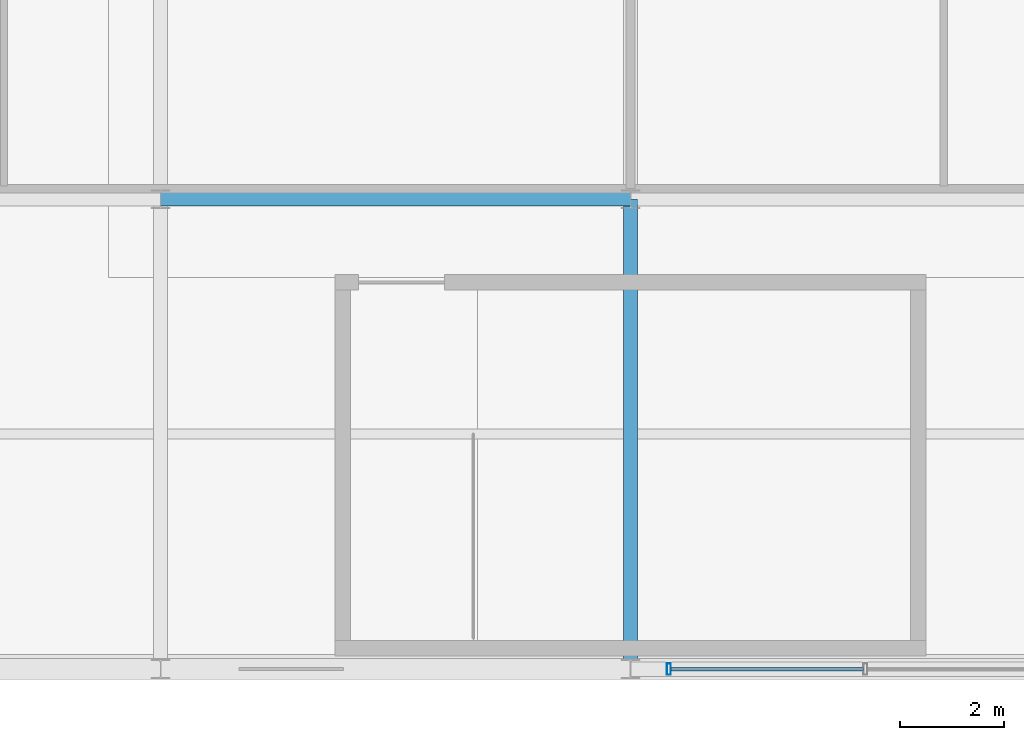
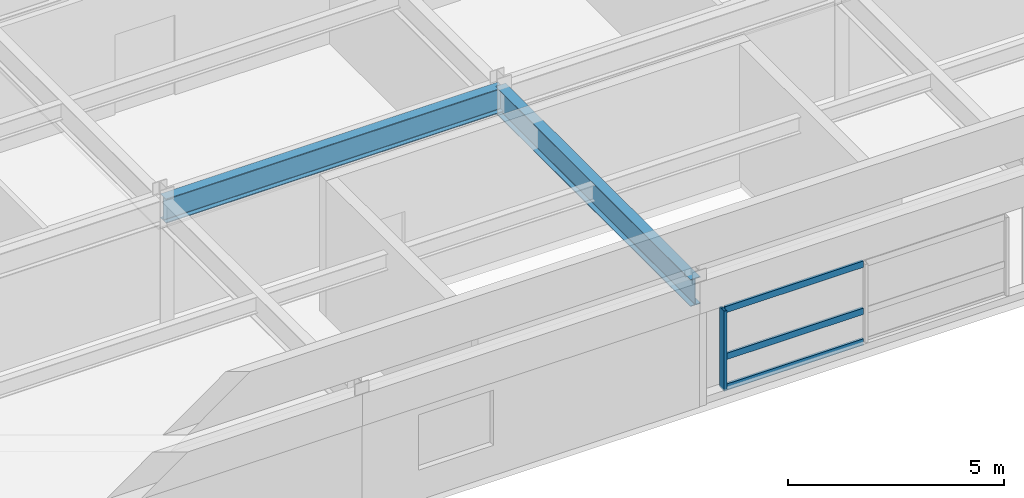
# One storey, part 49 of 108: 4 members, 2 beams, 1 element without a shape of its own.
"""IFC4 building model written with IfcOpenShell, lengths in metres."""

from ifc_helpers import new_model, si_unit, direction, frame, origin, origin_2d, place, context, subcontext, project, spatial, hollow_rectangle, i_section, extrude, material, material_profile, profile_set, type_object, element, aggregate, save


model = new_model("IFC4")

# Units and contexts
model_context = context("Model", 3, precision=1e-05, world=origin(), true_north=direction((0.0, 1.0)))
body_context = subcontext(model_context, "Body", "Model", "MODEL_VIEW")
ifc_project = project(units=[si_unit("LENGTHUNIT", "METRE"), si_unit("AREAUNIT", "SQUARE_METRE"), si_unit("VOLUMEUNIT", "CUBIC_METRE"), si_unit("PLANEANGLEUNIT", "RADIAN"), si_unit("MASSUNIT", "GRAM", prefix="KILO")], contexts=[model_context])

# Site, building, storey
site_placement = place(None, origin())
site = spatial("IfcSite", under=ifc_project, at=site_placement, CompositionType="ELEMENT")
building_placement = place(site_placement, origin())
building = spatial("IfcBuilding", under=site, at=building_placement, Name="Kaldorvane Square Convention Centre", CompositionType="ELEMENT")
storey_placement = place(building_placement, frame((0.0, 0.0, 23.399993896484375)))
storey = spatial("IfcBuildingStorey", under=building, at=storey_placement, Name="L04", CompositionType="ELEMENT", Elevation=23.399993896484375)

# Beams
ifc_material_1 = material(Name="Steel ASTM A992 Gr. 50", Category="steel")
ifc_material_profile_1 = material_profile(ifc_material_1, i_section(OverallWidth=0.25439453125, OverallDepth=0.6880950927734375, WebThickness=0.0131072998046875, FlangeThickness=0.0211029052734375, FilletRadius=0.01519775390625, at=origin_2d()), Name="W27X102")
ifc_profile_set_1 = profile_set([ifc_material_profile_1], Name="Steel ASTM A992 Gr. 50")
beam_type_1 = type_object("IfcBeamType", Name="BM-GR-W27X102", PredefinedType="BEAM", material=ifc_profile_set_1)
beam_1_placement = place(storey_placement, frame((147.0, 9.0, 3.1819000244140625), z_axis=(1.0, 0.0, 0.0), x_axis=(0.0, 1.0, 0.0)))
element("IfcBeam", 1, at=beam_1_placement, inside=storey, type_object=beam_type_1, Name="Primary Girder (L04)", PredefinedType="BEAM", context=body_context, shape_type="SweptSolid", body=[
    extrude(i_section(OverallWidth=0.25439453125, OverallDepth=0.6880950927734375, WebThickness=0.0131072998046875, FlangeThickness=0.0211029052734375, FilletRadius=0.01519775390625, at=origin_2d()), origin(), (0.0, 0.0, 1.0), 9.0),
])
ifc_material_profile_2 = material_profile(ifc_material_1, i_section(OverallWidth=0.2666015625, OverallDepth=0.762298583984375, WebThickness=0.014404296875, FlangeThickness=0.0216064453125, FilletRadius=0.0164947509765625, at=origin_2d()), Name="W30X116")
ifc_profile_set_2 = profile_set([ifc_material_profile_2], Name="Steel ASTM A992 Gr. 50")
beam_type_2 = type_object("IfcBeamType", Name="BM-GR-W30X116", PredefinedType="BEAM", material=ifc_profile_set_2)
beam_2_placement = place(storey_placement, frame((156.0, 0.0, 3.144805908203125), z_axis=(0.0, 1.0, 0.0), x_axis=(-1.0, 0.0, 0.0)))
element("IfcBeam", 2, at=beam_2_placement, inside=storey, type_object=beam_type_2, Name="Transverse Girder (L04)", PredefinedType="BEAM", context=body_context, shape_type="SweptSolid", body=[
    extrude(i_section(OverallWidth=0.2666015625, OverallDepth=0.762298583984375, WebThickness=0.014404296875, FlangeThickness=0.0216064453125, FilletRadius=0.0164947509765625, at=origin_2d()), origin(), (0.0, 0.0, 1.0), 9.0),
])

# Curtain wall, members
ifc_material_2 = material(Name="Anodized Aluminum and Low-E Insulated Glazing", Category="aluminium")
curtain_wall_type = type_object("IfcCurtainWallType", Name="CW-UNI-P42-12", PredefinedType="USERDEFINED", material=ifc_material_2)
curtain_wall_placement = place(storey_placement, origin())
curtain_wall = element("IfcCurtainWall", 3, at=curtain_wall_placement, inside=storey, type_object=curtain_wall_type, Name="Curtain Wall CW-05 (L04)", ObjectType="UNITISED GLAZING", PredefinedType="USERDEFINED")
ifc_material_profile_3 = material_profile(ifc_material_2, hollow_rectangle(XDim=0.0749969482421875, YDim=0.220001220703125, WallThickness=0.003997802734375, at=origin_2d()), Name="CWM-220X75")
ifc_profile_set_3 = profile_set([ifc_material_profile_3], Name="Anodized Aluminum and Low-E Insulated Glazing")
member_type_1 = type_object("IfcMemberType", Name="CW-MUL-220", PredefinedType="MULLION", material=ifc_profile_set_3)
member_1_placement = place(storey_placement, frame((156.7375030517578, 0.0, 0.1500091552734375), z_axis=(0.0, 0.0, 1.0), x_axis=(1.0, 0.0, 0.0)))
member_1 = element("IfcMember", 4, at=member_1_placement, type_object=member_type_1, Name="CW-05 mullion 1", PredefinedType="MULLION", context=body_context, shape_type="SweptSolid", body=[
    extrude(hollow_rectangle(XDim=0.0749969482421875, YDim=0.220001220703125, WallThickness=0.003997802734375, at=origin_2d()), origin(), (0.0, 0.0, 1.0), 2.2599945068359375),
])
ifc_material_profile_4 = material_profile(ifc_material_2, hollow_rectangle(XDim=0.06500244140625, YDim=0.17999267578125, WallThickness=0.0034942626953125, at=origin_2d()), Name="CWT-180X65")
ifc_profile_set_4 = profile_set([ifc_material_profile_4], Name="Anodized Aluminum and Low-E Insulated Glazing")
member_type_2 = type_object("IfcMemberType", Name="CW-TRN-180", PredefinedType="USERDEFINED", material=ifc_profile_set_4)
member_2_placement = place(storey_placement, frame((156.77499389648438, 0.0, 0.1825103759765625), z_axis=(1.0, 0.0, 0.0), x_axis=(0.0, 1.0, 0.0)))
member_2 = element("IfcMember", 5, at=member_2_placement, type_object=member_type_2, Name="CW-05 transom 1.1", ObjectType="TRANSOM", PredefinedType="USERDEFINED", context=body_context, shape_type="SweptSolid", body=[
    extrude(hollow_rectangle(XDim=0.06500244140625, YDim=0.17999267578125, WallThickness=0.0034942626953125, at=origin_2d()), origin(), (0.0, 0.0, 1.0), 3.6875),
])
member_3_placement = place(storey_placement, frame((156.77499389648438, 0.0, 1.0500030517578125), z_axis=(1.0, 0.0, 0.0), x_axis=(0.0, 1.0, 0.0)))
member_3 = element("IfcMember", 6, at=member_3_placement, type_object=member_type_2, Name="CW-05 transom 1.2", ObjectType="TRANSOM", PredefinedType="USERDEFINED", context=body_context, shape_type="SweptSolid", body=[
    extrude(hollow_rectangle(XDim=0.06500244140625, YDim=0.17999267578125, WallThickness=0.0034942626953125, at=origin_2d()), origin(), (0.0, 0.0, 1.0), 3.6875),
])
member_4_placement = place(storey_placement, frame((156.77499389648438, 0.0, 2.37750244140625), z_axis=(1.0, 0.0, 0.0), x_axis=(0.0, 1.0, 0.0)))
member_4 = element("IfcMember", 7, at=member_4_placement, type_object=member_type_2, Name="CW-05 transom 1.3", ObjectType="TRANSOM", PredefinedType="USERDEFINED", context=body_context, shape_type="SweptSolid", body=[
    extrude(hollow_rectangle(XDim=0.06500244140625, YDim=0.17999267578125, WallThickness=0.0034942626953125, at=origin_2d()), origin(), (0.0, 0.0, 1.0), 3.6875),
])
aggregate(curtain_wall, [member_1, member_2, member_3, member_4])

save(model, "model.ifc")
